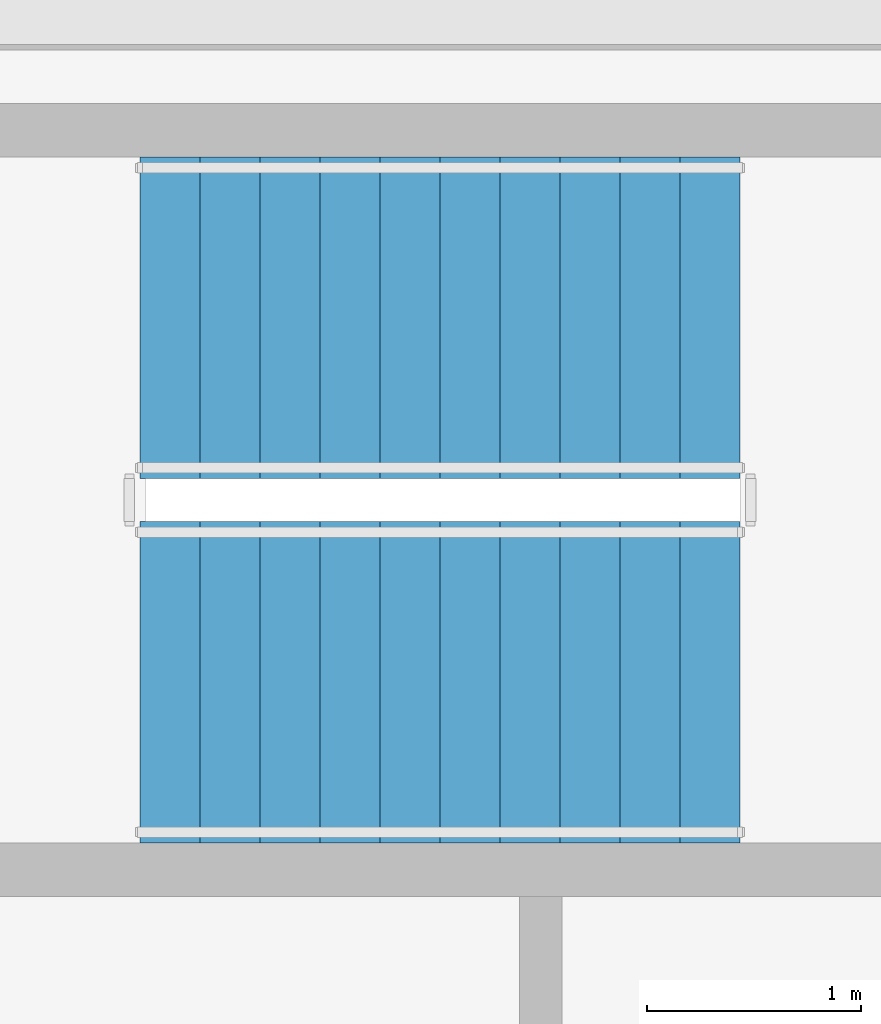
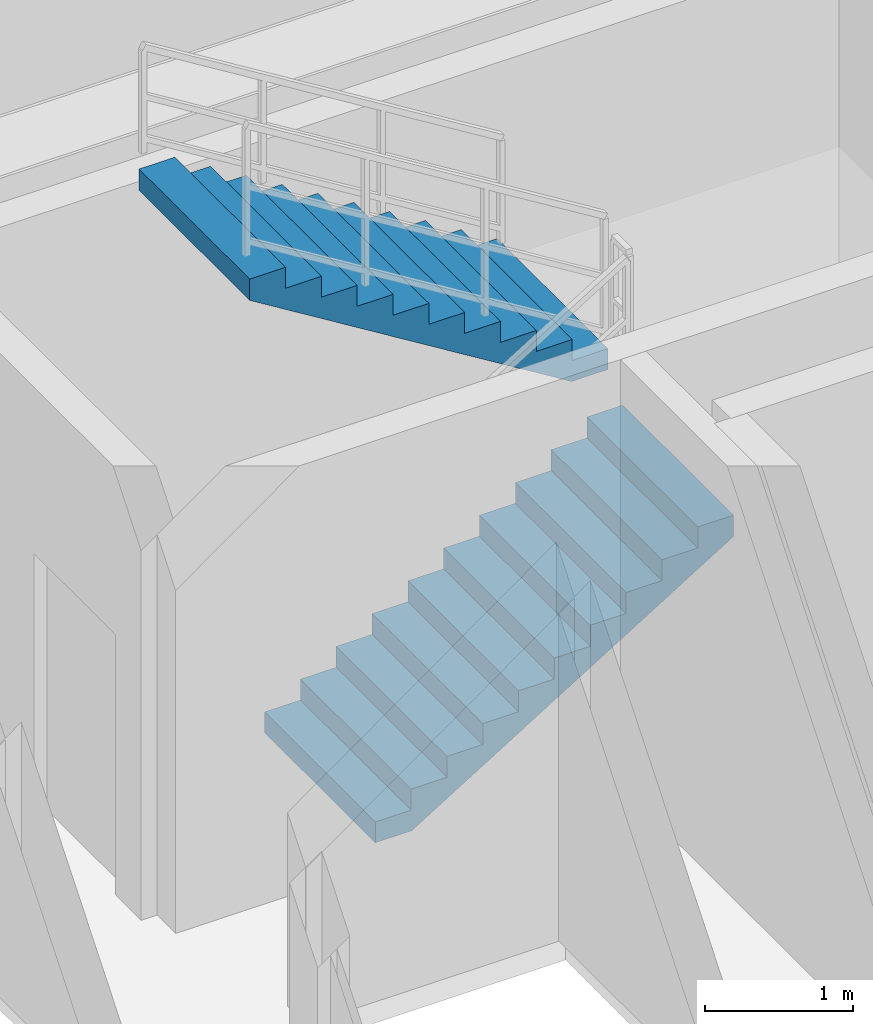
# One storey, part 6 of 9: 2 stair flights, 1 element without a shape of its own.
"""IFC4 building model written with IfcOpenShell, lengths in metres."""

from ifc_helpers import new_model, si_unit, direction, frame, origin, place, context, subcontext, project, spatial, polyline, outline, extrude, material, type_object, element, aggregate, save


model = new_model("IFC4")

# Units and contexts
model_context = context("Model", 3, precision=1e-05, world=origin(), true_north=direction((0.0, 1.0)))
body_context = subcontext(model_context, "Body", "Model", "MODEL_VIEW")
ifc_project = project(units=[si_unit("LENGTHUNIT", "METRE"), si_unit("AREAUNIT", "SQUARE_METRE"), si_unit("VOLUMEUNIT", "CUBIC_METRE"), si_unit("PLANEANGLEUNIT", "RADIAN"), si_unit("MASSUNIT", "GRAM", prefix="KILO")], contexts=[model_context])

# Site, building, storey
site_placement = place(None, origin())
site = spatial("IfcSite", under=ifc_project, at=site_placement, CompositionType="ELEMENT")
building_placement = place(site_placement, origin())
building = spatial("IfcBuilding", under=site, at=building_placement, Name="Zulverin Broadcast Headquarters", CompositionType="ELEMENT")
storey_placement = place(building_placement, frame((0.0, 0.0, 104.800048828125)))
storey = spatial("IfcBuildingStorey", under=building, at=storey_placement, Name="L26", CompositionType="ELEMENT", Elevation=104.800048828125)

# Stair, stair flights
ifc_material = material(Name="Concrete C40/50", Category="concrete")
stair_type = type_object("IfcStairType", Name="ST-CORE-1500", PredefinedType="HALF_TURN_STAIR", material=ifc_material)
stair_placement = place(storey_placement, origin())
stair = element("IfcStair", 1, at=stair_placement, inside=storey, type_object=stair_type, Name="L26 Core Exit Stair ST-1", PredefinedType="HALF_TURN_STAIR")
stair_flight_type = type_object("IfcStairFlightType", Name="SF-CORE-1500", PredefinedType="STRAIGHT", material=ifc_material)
stair_flight_1_placement = place(storey_placement, frame((40.1298828125, 29.800048828125, 0.0), z_axis=(0.0, 0.0, 1.0), x_axis=(1.0, 0.0, 0.0)))
stair_flight_1 = element("IfcStairFlight", 2, at=stair_flight_1_placement, type_object=stair_flight_type, Name="ST-1 flight 1", NumberOfRisers=11, NumberOfTreads=10, PredefinedType="STRAIGHT", RiserHeight=0.172727273, TreadLength=0.28, context=body_context, shape_type="SweptSolid", body=[
    extrude(outline(polyline([(0.0, 0.0), (0.0, 0.172607421875), (0.280029296875, 0.172607421875), (0.280029296875, 0.345458984375), (0.56005859375, 0.345458984375), (0.56005859375, 0.51806640625), (0.840087890625, 0.51806640625), (0.840087890625, 0.69091796875), (1.1201171875, 0.69091796875), (1.1201171875, 0.863525390625), (1.39990234375, 0.863525390625), (1.39990234375, 1.036376953125), (1.679931640625, 1.036376953125), (1.679931640625, 1.208984375), (1.9599609375, 1.208984375), (1.9599609375, 1.3818359375), (2.239990234375, 1.3818359375), (2.239990234375, 1.554443359375), (2.52001953125, 1.554443359375), (2.52001953125, 1.727294921875), (2.800048828125, 1.727294921875), (2.800048828125, 1.89990234375), (2.800048828125, 1.551025390625), (0.285400390625, 0.0), (0.0, 0.0)])), frame((0.0, 0.75, 0.0), z_axis=(0.0, -1.0, 0.0), x_axis=(1.0, 0.0, 0.0)), (0.0, 0.0, 1.0), 1.5),
])
stair_flight_2_placement = place(storey_placement, frame((42.929931640625, 31.5, 1.89990234375), z_axis=(0.0, 0.0, 1.0), x_axis=(-1.0, 0.0, 0.0)))
stair_flight_2 = element("IfcStairFlight", 3, at=stair_flight_2_placement, type_object=stair_flight_type, Name="ST-1 flight 2", NumberOfRisers=11, NumberOfTreads=10, PredefinedType="STRAIGHT", RiserHeight=0.172727273, TreadLength=0.28, context=body_context, shape_type="SweptSolid", body=[
    extrude(outline(polyline([(0.0, 0.0), (0.0, 0.172607421875), (0.280029296875, 0.172607421875), (0.280029296875, 0.345458984375), (0.56005859375, 0.345458984375), (0.56005859375, 0.51806640625), (0.840087890625, 0.51806640625), (0.840087890625, 0.69091796875), (1.1201171875, 0.69091796875), (1.1201171875, 0.863525390625), (1.39990234375, 0.863525390625), (1.39990234375, 1.036376953125), (1.679931640625, 1.036376953125), (1.679931640625, 1.208984375), (1.9599609375, 1.208984375), (1.9599609375, 1.3818359375), (2.239990234375, 1.3818359375), (2.239990234375, 1.554443359375), (2.52001953125, 1.554443359375), (2.52001953125, 1.727294921875), (2.800048828125, 1.727294921875), (2.800048828125, 1.89990234375), (2.800048828125, 1.551025390625), (0.285400390625, 0.0), (0.0, 0.0)])), frame((0.0, 0.75, 0.0), z_axis=(0.0, -1.0, 0.0), x_axis=(1.0, 0.0, 0.0)), (0.0, 0.0, 1.0), 1.5),
])
aggregate(stair, [stair_flight_1, stair_flight_2])

save(model, "model.ifc")
